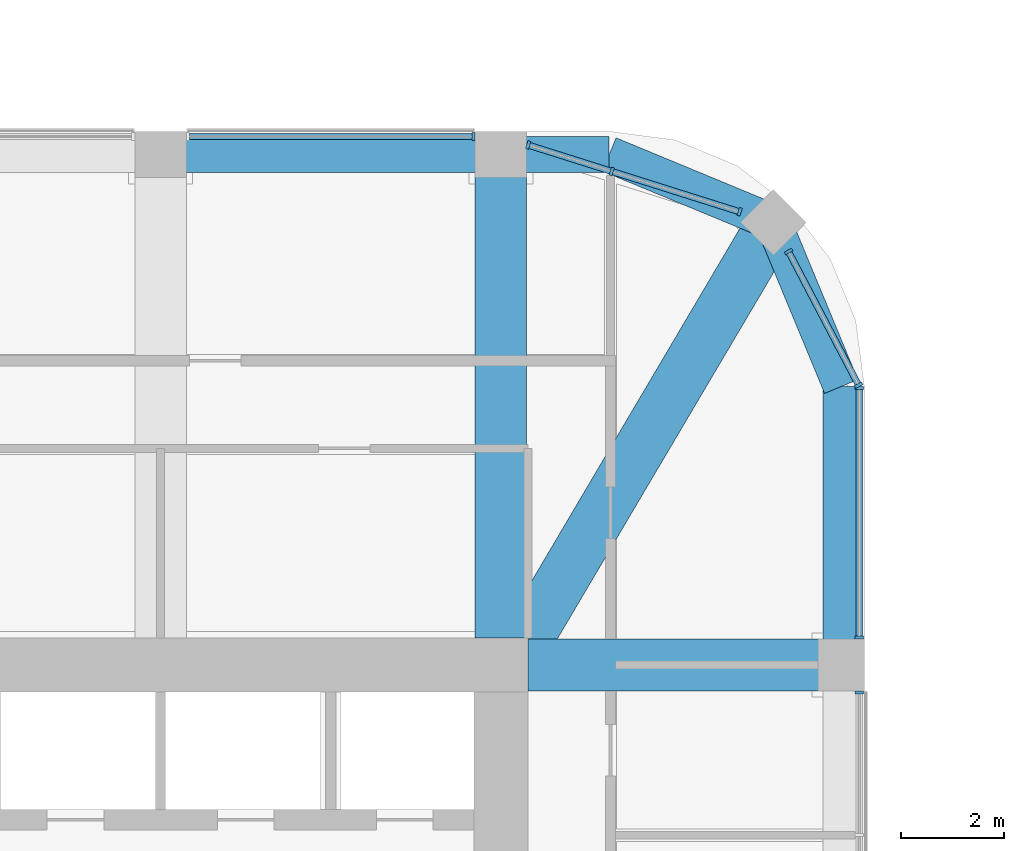
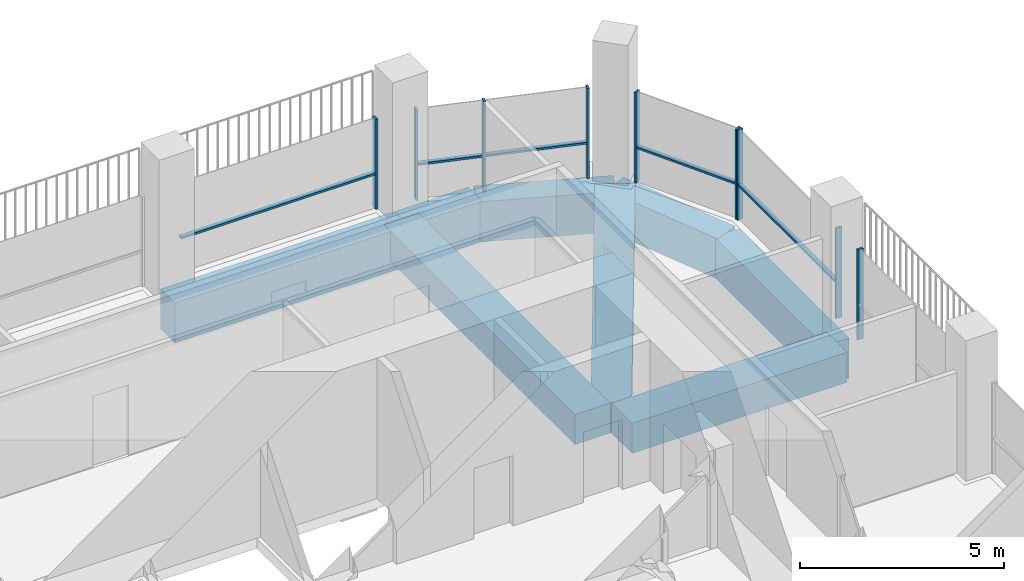
# One storey, part 7 of 20: 14 members, 8 beams, 5 elements without a shape of their own.
"""IFC4 building model written with IfcOpenShell, lengths in metres."""

from ifc_helpers import new_model, si_unit, direction, frame, origin, origin_2d, place, context, subcontext, project, spatial, rectangle, extrude, material, material_profile, profile_set, type_object, element, aggregate, save


model = new_model("IFC4")

# Units and contexts
model_context = context("Model", 3, precision=1e-05, world=origin(), true_north=direction((0.0, 1.0)))
body_context = subcontext(model_context, "Body", "Model", "MODEL_VIEW")
ifc_project = project(units=[si_unit("LENGTHUNIT", "METRE"), si_unit("AREAUNIT", "SQUARE_METRE"), si_unit("VOLUMEUNIT", "CUBIC_METRE"), si_unit("PLANEANGLEUNIT", "RADIAN"), si_unit("MASSUNIT", "GRAM", prefix="KILO")], contexts=[model_context])

# Site, building, storey
site_placement = place(None, origin())
site = spatial("IfcSite", under=ifc_project, at=site_placement, CompositionType="ELEMENT")
building_placement = place(site_placement, origin())
building = spatial("IfcBuilding", under=site, at=building_placement, Name="Cobogo Forest Laboratory Tower", CompositionType="ELEMENT")
storey_placement = place(building_placement, frame((0.0, 0.0, 279.60009765625)))
storey = spatial("IfcBuildingStorey", under=building, at=storey_placement, Name="L64", CompositionType="ELEMENT", Elevation=279.60009765625)

# Curtain wall, member
ifc_material_1 = material(Name="Aluminium curtain wall", Category="aluminium")
curtain_wall_type = type_object("IfcCurtainWallType", Name="CW-2 unitised curtain wall, solar control glazing, laboratory floors zones C and D", PredefinedType="USERDEFINED", material=ifc_material_1)
curtain_wall_1_placement = place(storey_placement, origin())
curtain_wall_1 = element("IfcCurtainWall", 1, at=curtain_wall_1_placement, inside=storey, type_object=curtain_wall_type, Name="Curtain wall 10 L64", ObjectType="UNITISED CURTAIN WALL", PredefinedType="USERDEFINED")
ifc_material_2 = material(Name="Aluminium mullion", Category="aluminium")
ifc_material_profile_1 = material_profile(ifc_material_2, rectangle(XDim=0.06005859375, YDim=0.159912109375, at=origin_2d()), Name="AL 60x160")
ifc_profile_set_1 = profile_set([ifc_material_profile_1], Name="Aluminium mullion")
member_type_1 = type_object("IfcMemberType", Name="MU-1 aluminium mullion 60x160", PredefinedType="MULLION", material=ifc_profile_set_1)
member_1_placement = place(storey_placement, frame((46.550048828125, 32.469970703125, 0.0), z_axis=(0.0, 0.0, 1.0), x_axis=(0.0, 1.0, 0.0)))
member_1 = element("IfcMember", 2, at=member_1_placement, type_object=member_type_1, Name="CW-2 mullion 3", PredefinedType="MULLION", context=body_context, shape_type="SweptSolid", body=[
    extrude(rectangle(XDim=0.06005859375, YDim=0.159912109375, at=origin_2d()), origin(), (0.0, 0.0, 1.0), 2.699951171875),
])
aggregate(curtain_wall_1, [member_1])

# Curtain wall, members
curtain_wall_2_placement = place(storey_placement, origin())
curtain_wall_2 = element("IfcCurtainWall", 3, at=curtain_wall_2_placement, inside=storey, type_object=curtain_wall_type, Name="Curtain wall 11 L64", ObjectType="UNITISED CURTAIN WALL", PredefinedType="USERDEFINED")
member_2_placement = place(storey_placement, frame((46.550048828125, 33.530029296875, 0.0), z_axis=(0.0, 0.0, 1.0), x_axis=(0.0, 1.0, 0.0)))
member_2 = element("IfcMember", 4, at=member_2_placement, type_object=member_type_1, Name="CW-2 mullion 1", PredefinedType="MULLION", context=body_context, shape_type="SweptSolid", body=[
    extrude(rectangle(XDim=0.06005859375, YDim=0.159912109375, at=origin_2d()), origin(), (0.0, 0.0, 1.0), 2.699951171875),
])
member_3_placement = place(storey_placement, frame((46.550048828125, 38.3701171875, 0.0), z_axis=(0.0, 0.0, 1.0), x_axis=(0.0, 1.0, 0.0)))
member_3 = element("IfcMember", 5, at=member_3_placement, type_object=member_type_1, Name="CW-2 mullion 2", PredefinedType="MULLION", context=body_context, shape_type="SweptSolid", body=[
    extrude(rectangle(XDim=0.06005859375, YDim=0.159912109375, at=origin_2d()), origin(), (0.0, 0.0, 1.0), 2.699951171875),
])

curtain_wall_3_placement = place(storey_placement, origin())
curtain_wall_3 = element("IfcCurtainWall", 6, at=curtain_wall_3_placement, inside=storey, type_object=curtain_wall_type, Name="Curtain wall 12 L64", ObjectType="UNITISED CURTAIN WALL", PredefinedType="USERDEFINED")
member_4_placement = place(storey_placement, frame((46.5361328125, 38.426513671875, 0.0), z_axis=(0.0, 0.0, 1.0), x_axis=(-0.464283778337, 0.885686498245, 0.0)))
member_4 = element("IfcMember", 7, at=member_4_placement, type_object=member_type_1, Name="CW-2 mullion 1", PredefinedType="MULLION", context=body_context, shape_type="SweptSolid", body=[
    extrude(rectangle(XDim=0.06005859375, YDim=0.159912109375, at=origin_2d()), origin(), (0.0, 0.0, 1.0), 2.699951171875),
])
member_5_placement = place(storey_placement, frame((45.177978515625, 41.017333984375, 0.0), z_axis=(0.0, 0.0, 1.0), x_axis=(-0.464283778337, 0.885686498245, 0.0)))
member_5 = element("IfcMember", 8, at=member_5_placement, type_object=member_type_1, Name="CW-2 mullion 2", PredefinedType="MULLION", context=body_context, shape_type="SweptSolid", body=[
    extrude(rectangle(XDim=0.06005859375, YDim=0.159912109375, at=origin_2d()), origin(), (0.0, 0.0, 1.0), 2.699951171875),
])

curtain_wall_4_placement = place(storey_placement, origin())
curtain_wall_4 = element("IfcCurtainWall", 9, at=curtain_wall_4_placement, inside=storey, type_object=curtain_wall_type, Name="Curtain wall 13 L64", ObjectType="UNITISED CURTAIN WALL", PredefinedType="USERDEFINED")
member_6_placement = place(storey_placement, frame((44.22998046875, 41.787841796875, 0.0), z_axis=(0.0, 0.0, 1.0), x_axis=(-0.953581379409, 0.301135439371, 0.0)))
member_6 = element("IfcMember", 10, at=member_6_placement, type_object=member_type_1, Name="CW-2 mullion 1", PredefinedType="MULLION", context=body_context, shape_type="SweptSolid", body=[
    extrude(rectangle(XDim=0.06005859375, YDim=0.159912109375, at=origin_2d()), origin(), (0.0, 0.0, 1.0), 2.699951171875),
])
member_7_placement = place(storey_placement, frame((41.7490234375, 42.5712890625, 0.0), z_axis=(0.0, 0.0, 1.0), x_axis=(-0.953581379409, 0.301135439371, 0.0)))
member_7 = element("IfcMember", 11, at=member_7_placement, type_object=member_type_1, Name="CW-2 mullion 2", PredefinedType="MULLION", context=body_context, shape_type="SweptSolid", body=[
    extrude(rectangle(XDim=0.06005859375, YDim=0.159912109375, at=origin_2d()), origin(), (0.0, 0.0, 1.0), 2.699951171875),
])
member_8_placement = place(storey_placement, frame((40.128662109375, 43.0830078125, 0.0), z_axis=(0.0, 0.0, 1.0), x_axis=(-0.953581379409, 0.301135439371, 0.0)))
member_8 = element("IfcMember", 12, at=member_8_placement, type_object=member_type_1, Name="CW-2 mullion 3", PredefinedType="MULLION", context=body_context, shape_type="SweptSolid", body=[
    extrude(rectangle(XDim=0.06005859375, YDim=0.159912109375, at=origin_2d()), origin(), (0.0, 0.0, 1.0), 2.699951171875),
])

# Curtain wall, member
curtain_wall_5_placement = place(storey_placement, origin())
curtain_wall_5 = element("IfcCurtainWall", 13, at=curtain_wall_5_placement, inside=storey, type_object=curtain_wall_type, Name="Curtain wall 14 L64", ObjectType="UNITISED CURTAIN WALL", PredefinedType="USERDEFINED")
member_9_placement = place(storey_placement, frame((39.070068359375, 43.25, 0.0), z_axis=(0.0, 0.0, 1.0), x_axis=(-1.0, 0.0, 0.0)))
member_9 = element("IfcMember", 14, at=member_9_placement, type_object=member_type_1, Name="CW-2 mullion 1", PredefinedType="MULLION", context=body_context, shape_type="SweptSolid", body=[
    extrude(rectangle(XDim=0.06005859375, YDim=0.159912109375, at=origin_2d()), origin(), (0.0, 0.0, 1.0), 2.699951171875),
])

# Beams
ifc_material_3 = material(Name="Concrete HA-40 (C40/50)", Category="concrete")
ifc_material_profile_2 = material_profile(ifc_material_3, rectangle(XDim=1.0, YDim=0.89990234375, at=origin_2d()), Name="RC 1000x900")
ifc_profile_set_2 = profile_set([ifc_material_profile_2], Name="Concrete HA-40 (C40/50)")
beam_type_1 = type_object("IfcBeamType", Name="Office floor wide beam 1000x900", PredefinedType="BEAM", material=ifc_profile_set_2)
beam_1_placement = place(storey_placement, frame((39.60009765625, 33.52490234375, -0.75), z_axis=(0.0, 1.0, 0.0), x_axis=(-1.0, 0.0, 0.0)))
element("IfcBeam", 15, at=beam_1_placement, inside=storey, type_object=beam_type_1, Name="RB2 R-7-N L64", PredefinedType="BEAM", context=body_context, shape_type="SweptSolid", body=[
    extrude(rectangle(XDim=1.0, YDim=0.89990234375, at=origin_2d()), origin(), (0.0, 0.0, 1.0), 9.375),
])
beam_2_placement = place(storey_placement, frame((40.125, 33.0, -0.75), z_axis=(1.0, 0.0, 0.0), x_axis=(0.0, 1.0, 0.0)))
element("IfcBeam", 16, at=beam_2_placement, inside=storey, type_object=beam_type_1, Name="RB2 R-F-E L64", PredefinedType="BEAM", context=body_context, shape_type="SweptSolid", body=[
    extrude(rectangle(XDim=1.0, YDim=0.89990234375, at=origin_2d()), origin(), (0.0, 0.0, 1.0), 6.074951171875),
])
beam_3_placement = place(storey_placement, frame((44.882080078125, 41.58203125, -0.75), z_axis=(-0.508416325908, -0.861111397875, 0.0), x_axis=(0.861111397875, -0.508416325908, 0.0)))
element("IfcBeam", 17, at=beam_3_placement, inside=storey, type_object=beam_type_1, Name="RB2 G-NE-D1 L64", PredefinedType="BEAM", context=body_context, shape_type="SweptSolid", body=[
    extrude(rectangle(XDim=1.0, YDim=0.89990234375, at=origin_2d()), origin(), (0.0, 0.0, 1.0), 9.356689453125),
])
ifc_material_profile_3 = material_profile(ifc_material_3, rectangle(XDim=0.699951171875, YDim=1.199951171875, at=origin_2d()), Name="RC 700x1200")
ifc_profile_set_3 = profile_set([ifc_material_profile_3], Name="Concrete HA-40 (C40/50)")
beam_type_2 = type_object("IfcBeamType", Name="Perimeter edge beam 700x1200", PredefinedType="BEAM", material=ifc_profile_set_3)
beam_4_placement = place(storey_placement, frame((33.0, 42.89990234375, -0.900146484375), z_axis=(1.0, 0.0, 0.0), x_axis=(0.0, 1.0, 0.0)))
element("IfcBeam", 18, at=beam_4_placement, inside=storey, type_object=beam_type_2, Name="EB1 E-N4 L64", PredefinedType="BEAM", context=body_context, shape_type="SweptSolid", body=[
    extrude(rectangle(XDim=0.699951171875, YDim=1.199951171875, at=origin_2d()), origin(), (0.0, 0.0, 1.0), 6.60009765625),
])
beam_5_placement = place(storey_placement, frame((46.199951171875, 33.0, -0.900146484375), z_axis=(0.0, 1.0, 0.0), x_axis=(-1.0, 0.0, 0.0)))
element("IfcBeam", 19, at=beam_5_placement, inside=storey, type_object=beam_type_2, Name="EB1 E-NEE1 L64", PredefinedType="BEAM", context=body_context, shape_type="SweptSolid", body=[
    extrude(rectangle(XDim=0.699951171875, YDim=1.199951171875, at=origin_2d()), origin(), (0.0, 0.0, 1.0), 5.39990234375),
])
beam_6_placement = place(storey_placement, frame((46.199951171875, 38.39990234375, -0.900146484375), z_axis=(-0.382631424892, 0.923901072997, 0.0), x_axis=(-0.923901072997, -0.382631424892, 0.0)))
element("IfcBeam", 20, at=beam_6_placement, inside=storey, type_object=beam_type_2, Name="EB1 E-NEE2 L64", PredefinedType="BEAM", context=body_context, shape_type="SweptSolid", body=[
    extrude(rectangle(XDim=0.699951171875, YDim=1.199951171875, at=origin_2d()), origin(), (0.0, 0.0, 1.0), 3.4443359375),
])
beam_7_placement = place(storey_placement, frame((39.60009765625, 42.89990234375, -0.900146484375), z_axis=(1.0, 0.0, 0.0), x_axis=(0.0, 1.0, 0.0)))
element("IfcBeam", 21, at=beam_7_placement, inside=storey, type_object=beam_type_2, Name="EB1 E-NEN1 L64", PredefinedType="BEAM", context=body_context, shape_type="SweptSolid", body=[
    extrude(rectangle(XDim=0.699951171875, YDim=1.199951171875, at=origin_2d()), origin(), (0.0, 0.0, 1.0), 2.099853515625),
])
beam_8_placement = place(storey_placement, frame((41.699951171875, 42.89990234375, -0.900146484375), z_axis=(0.923901072997, -0.382631424892, 0.0), x_axis=(0.382631424892, 0.923901072997, 0.0)))
element("IfcBeam", 22, at=beam_8_placement, inside=storey, type_object=beam_type_2, Name="EB1 E-NEN2 L64", PredefinedType="BEAM", context=body_context, shape_type="SweptSolid", body=[
    extrude(rectangle(XDim=0.699951171875, YDim=1.199951171875, at=origin_2d()), origin(), (0.0, 0.0, 1.0), 3.4443359375),
])

# Member
ifc_material_4 = material(Name="Aluminium transom", Category="aluminium")
ifc_material_profile_4 = material_profile(ifc_material_4, rectangle(XDim=0.1201171875, YDim=0.06005859375, at=origin_2d()), Name="AL 60x120")
ifc_profile_set_4 = profile_set([ifc_material_profile_4], Name="Aluminium transom")
member_type_2 = type_object("IfcMemberType", Name="TR-1 aluminium transom 60x120", PredefinedType="USERDEFINED", material=ifc_profile_set_4)
member_10_placement = place(storey_placement, frame((46.550048828125, 33.56005859375, 1.0498046875), z_axis=(0.0, 1.0, 0.0), x_axis=(-1.0, 0.0, 0.0)))
member_10 = element("IfcMember", 23, at=member_10_placement, type_object=member_type_2, Name="CW-2 transom 1.1", ObjectType="TRANSOM", PredefinedType="USERDEFINED", context=body_context, shape_type="SweptSolid", body=[
    extrude(rectangle(XDim=0.1201171875, YDim=0.06005859375, at=origin_2d()), origin(), (0.0, 0.0, 1.0), 4.780029296875),
])

aggregate(curtain_wall_2, [member_2, member_3, member_10])

member_11_placement = place(storey_placement, frame((46.522216796875, 38.453125, 1.0498046875), z_axis=(-0.46430944806, 0.885673041501, 0.0), x_axis=(-0.885673041501, -0.46430944806, 0.0)))
member_11 = element("IfcMember", 24, at=member_11_placement, type_object=member_type_2, Name="CW-2 transom 1.1", ObjectType="TRANSOM", PredefinedType="USERDEFINED", context=body_context, shape_type="SweptSolid", body=[
    extrude(rectangle(XDim=0.1201171875, YDim=0.06005859375, at=origin_2d()), origin(), (0.0, 0.0, 1.0), 2.865234375),
])

aggregate(curtain_wall_3, [member_4, member_5, member_11])

member_12_placement = place(storey_placement, frame((44.201416015625, 41.796875, 1.0498046875), z_axis=(-0.953587019958, 0.301117577314, 0.0), x_axis=(-0.301117577314, -0.953587019958, 0.0)))
member_12 = element("IfcMember", 25, at=member_12_placement, type_object=member_type_2, Name="CW-2 transom 1.1", ObjectType="TRANSOM", PredefinedType="USERDEFINED", context=body_context, shape_type="SweptSolid", body=[
    extrude(rectangle(XDim=0.1201171875, YDim=0.06005859375, at=origin_2d()), origin(), (0.0, 0.0, 1.0), 2.541748046875),
])

member_13_placement = place(storey_placement, frame((41.720458984375, 42.580322265625, 1.0498046875), z_axis=(-0.953582665134, 0.301131367937, 0.0), x_axis=(-0.301131367937, -0.953582665134, 0.0)))
member_13 = element("IfcMember", 26, at=member_13_placement, type_object=member_type_2, Name="CW-2 transom 2.1", ObjectType="TRANSOM", PredefinedType="USERDEFINED", context=body_context, shape_type="SweptSolid", body=[
    extrude(rectangle(XDim=0.1201171875, YDim=0.06005859375, at=origin_2d()), origin(), (0.0, 0.0, 1.0), 1.639404296875),
])

aggregate(curtain_wall_4, [member_6, member_7, member_8, member_12, member_13])

member_14_placement = place(storey_placement, frame((39.0400390625, 43.25, 1.0498046875), z_axis=(-1.0, 0.0, 0.0), x_axis=(0.0, -1.0, 0.0)))
member_14 = element("IfcMember", 27, at=member_14_placement, type_object=member_type_2, Name="CW-2 transom 1.1", ObjectType="TRANSOM", PredefinedType="USERDEFINED", context=body_context, shape_type="SweptSolid", body=[
    extrude(rectangle(XDim=0.1201171875, YDim=0.06005859375, at=origin_2d()), origin(), (0.0, 0.0, 1.0), 5.47998046875),
])

aggregate(curtain_wall_5, [member_9, member_14])

save(model, "model.ifc")
